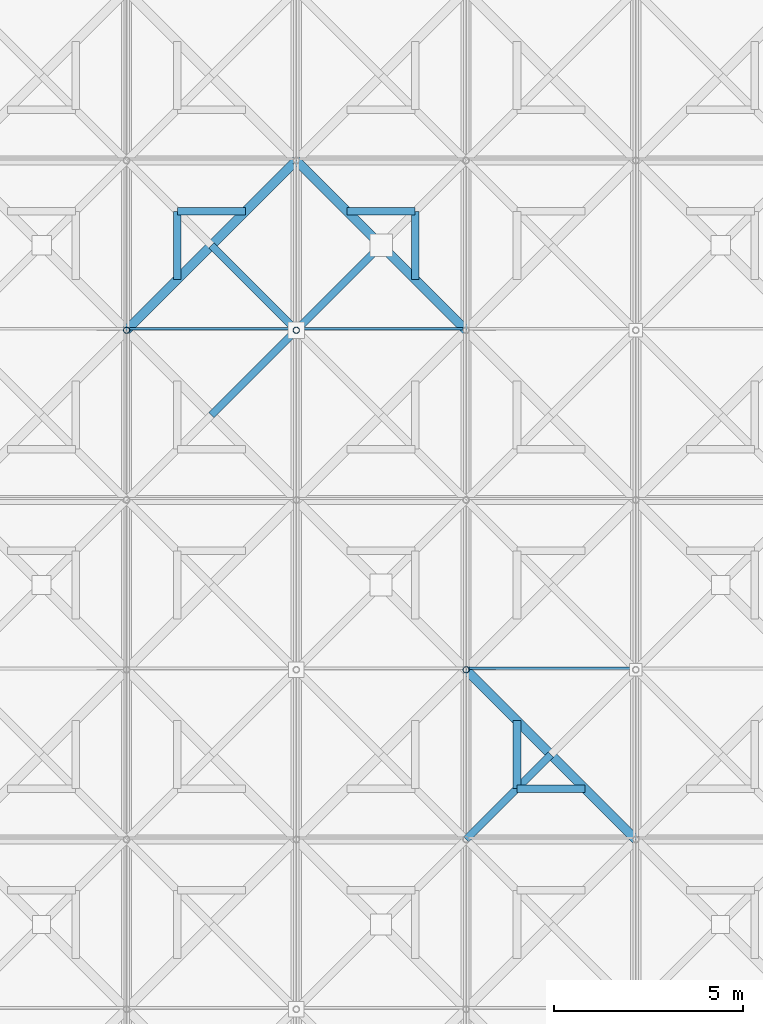
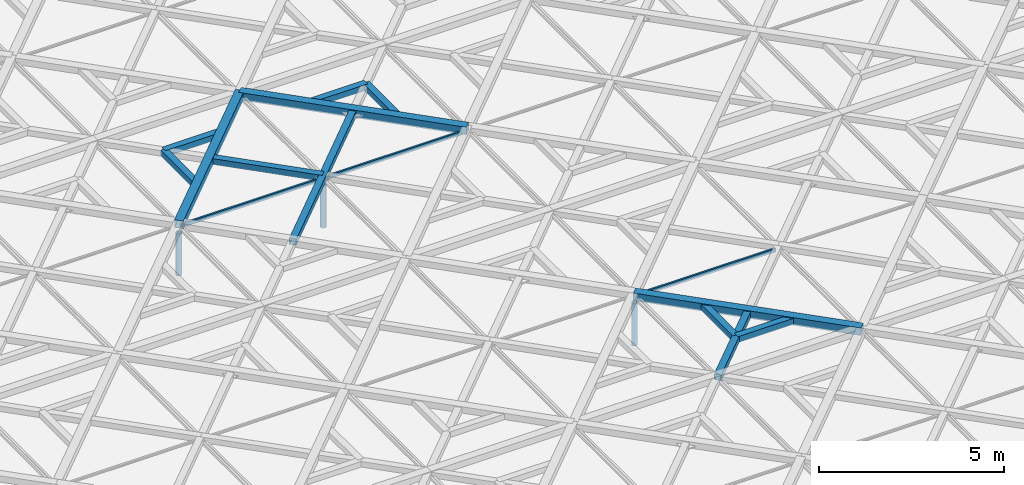
# One storey, part 35 of 80: 18 members, 3 elements without a shape of their own.
"""IFC4 building model written with IfcOpenShell, lengths in metres."""

import ifcopenshell
import ifcopenshell.guid

model = None  # the IFC model being written
_history = None  # IfcOwnerHistory: only IFC2X3 demands one
_inside = {}  # id of a spatial element -> (the spatial element, [elements in it])
_under = {}  # id of a project, library or spatial element -> (it, [spatial elements below it])
_declared = {}  # id of a project -> (the project, [libraries it declares])
_typed = {}  # id of a type object -> (the type object, [elements of that type])
_made_of = {}  # id of a material, layer set ... -> (it, [elements and type objects made of it])


def new_model(schema):
    """Start an empty IFC model of exactly this schema.

    Asked for "IFC4X3", IfcOpenShell would pick the latest addendum, in which some entities
    have other attributes; the version numbers below select the first issue.
    IFC2X3 requires an IfcOwnerHistory on every rooted entity: one is made here for all.
    """
    global model, _history
    if schema == "IFC4X3":
        model = ifcopenshell.file(schema_version=(4, 3, 0, 0))
    else:
        model = ifcopenshell.file(schema=schema)
    _inside.clear()
    _under.clear()
    _declared.clear()
    _typed.clear()
    _made_of.clear()
    _history = None
    if model.schema == "IFC2X3":
        org = make("IfcOrganization", Name="unknown")
        user = make(
            "IfcPersonAndOrganization",
            ThePerson=make("IfcPerson", FamilyName="unknown"),
            TheOrganization=org,
        )
        app = make(
            "IfcApplication",
            ApplicationDeveloper=org,
            Version="unknown",
            ApplicationFullName="unknown",
            ApplicationIdentifier="unknown",
        )
        _history = make(
            "IfcOwnerHistory",
            OwningUser=user,
            OwningApplication=app,
            ChangeAction="ADDED",
            CreationDate=0,
        )
    return model


def make(cls, **values):
    """One entity of the class cls with the attributes given. An attribute that is None is left unset."""
    return model.create_entity(
        cls, **{name: value for name, value in values.items() if value is not None}
    )


def rooted(cls, **values):
    """An entity with a GlobalId (a new one), such as an element, a storey or a relation."""
    return make(cls, GlobalId=ifcopenshell.guid.new(), OwnerHistory=_history, **values)


def si_unit(unit_type, name, prefix=None):
    """IfcSIUnit, for example si_unit("LENGTHUNIT", "METRE", prefix="MILLI")."""
    return make("IfcSIUnit", UnitType=unit_type, Prefix=prefix, Name=name)


def assignment(units):
    """IfcUnitAssignment: the units of a project."""
    return None if units is None else make("IfcUnitAssignment", Units=units)


def point(xyz):
    """IfcCartesianPoint."""
    return None if xyz is None else make("IfcCartesianPoint", Coordinates=xyz)


def direction(xyz):
    """IfcDirection."""
    return None if xyz is None else make("IfcDirection", DirectionRatios=xyz)


def frame(location, z_axis=None, x_axis=None):
    """IfcAxis2Placement3D, a coordinate frame: its origin and axes. An axis left out is left unset."""
    return make(
        "IfcAxis2Placement3D",
        Location=point(location),
        Axis=direction(z_axis),
        RefDirection=direction(x_axis),
    )


def frame_2d(location, x_axis=None):
    """IfcAxis2Placement2D, a coordinate frame in the plane: its origin and x axis."""
    return make(
        "IfcAxis2Placement2D", Location=point(location), RefDirection=direction(x_axis)
    )


def origin():
    """The frame at (0, 0, 0) with its axes left unset."""
    return frame((0.0, 0.0, 0.0))


def origin_2d():
    """The frame at (0, 0) in the plane with its x axis left unset."""
    return frame_2d((0.0, 0.0))


def place(relative_to, where):
    """IfcLocalPlacement: puts the frame where relative to a parent placement (None: the world)."""
    return make(
        "IfcLocalPlacement", PlacementRelTo=relative_to, RelativePlacement=where
    )


def context(
    kind, dimensions, precision=None, world=None, true_north=None, identifier=None
):
    """IfcGeometricRepresentationContext, for example the 3D "Model" context."""
    return make(
        "IfcGeometricRepresentationContext",
        ContextIdentifier=identifier,
        ContextType=kind,
        CoordinateSpaceDimension=dimensions,
        Precision=precision,
        WorldCoordinateSystem=world,
        TrueNorth=true_north,
    )


def subcontext(parent, identifier, kind, view, scale=None):
    """IfcGeometricRepresentationSubContext, for example "Body" below "Model"."""
    return make(
        "IfcGeometricRepresentationSubContext",
        ContextIdentifier=identifier,
        ContextType=kind,
        ParentContext=parent,
        TargetScale=scale,
        TargetView=view,
    )


def project(units=None, contexts=None):
    """IfcProject with its units and contexts."""
    return rooted(
        "IfcProject",
        Name="project",
        RepresentationContexts=contexts,
        UnitsInContext=assignment(units),
    )


def spatial(cls, under=None, at=None, **own):
    """A site, building, storey or space (cls), placed at a placement, below another one or the project."""
    s = rooted(cls, ObjectPlacement=at, **own)
    if under is not None:
        _under.setdefault(under.id(), (under, []))[1].append(s)
    return s


def profile(cls, at=None, kind="AREA", **sizes):
    """A parametric profile (cls). Its sizes go by their IFC names, for example OverallWidth=200.0."""
    return make(cls, ProfileType=kind, Position=at, **sizes)


def rectangle(**sizes):
    """IfcRectangleProfileDef."""
    return profile("IfcRectangleProfileDef", **sizes)


def hollow_rectangle(**sizes):
    """IfcRectangleHollowProfileDef."""
    return profile("IfcRectangleHollowProfileDef", **sizes)


def hollow_circle(**sizes):
    """IfcCircleHollowProfileDef."""
    return profile("IfcCircleHollowProfileDef", **sizes)


def extrude(swept, where, along, depth):
    """IfcExtrudedAreaSolid: the profile swept, set in the frame where, extruded along a direction by depth."""
    return make(
        "IfcExtrudedAreaSolid",
        SweptArea=swept,
        Position=where,
        ExtrudedDirection=direction(along),
        Depth=depth,
    )


def shape(context_of_items, identifier, shape_type, items):
    """IfcShapeRepresentation: the items that make up one representation, for example the "Body"."""
    return make(
        "IfcShapeRepresentation",
        ContextOfItems=context_of_items,
        RepresentationIdentifier=identifier,
        RepresentationType=shape_type,
        Items=items,
    )


def material(Name=None, Category=None):
    """IfcMaterial."""
    return make("IfcMaterial", Name=Name, Category=Category)


def material_profile(
    of_material, cross_section, Name=None, Category=None, Priority=None
):
    """IfcMaterialProfile: a cross section and its material."""
    return make(
        "IfcMaterialProfile",
        Name=Name,
        Material=of_material,
        Profile=cross_section,
        Priority=Priority,
        Category=Category,
    )


def profile_set(profiles, Name=None, composite=None):
    """IfcMaterialProfileSet."""
    return make(
        "IfcMaterialProfileSet",
        Name=Name,
        MaterialProfiles=profiles,
        CompositeProfile=composite,
    )


def made_of(thing, what):
    """Note that an element or type object is made of a material, layer set ...; save() writes the relation."""
    if what is not None:
        _made_of.setdefault(what.id(), (what, []))[1].append(thing)
    return thing


def type_object(cls, material=None, **own):
    """A type object (cls), such as IfcWallType, which elements share."""
    return made_of(rooted(cls, **own), material)


def element(
    cls,
    number,
    at=None,
    inside=None,
    cuts=None,
    type_object=None,
    material=None,
    context=None,
    identifier="Body",
    shape_type=None,
    held_by="IfcProductDefinitionShape",
    body=None,
    shapes=None,
    **own,
):
    """One element of the class cls, such as IfcWall. Its Tag is "e" and its number.

    at: its placement. inside: the storey or other place that contains it. cuts: it is an
    opening in that element (IfcRelVoidsElement). A single representation is given by context,
    identifier, shape_type and body (its items); several are given by shapes. held_by: the class
    of the entity that holds the representations. save() writes the other relations.
    """
    e = rooted(cls, Tag="e%d" % number, ObjectPlacement=at, **own)
    if body is not None:
        shapes = [shape(context, identifier, shape_type, body)]
    if shapes is not None:
        e.Representation = make(held_by, Representations=shapes)
    if inside is not None:
        _inside.setdefault(inside.id(), (inside, []))[1].append(e)
    if cuts is not None:
        rooted(
            "IfcRelVoidsElement", RelatingBuildingElement=cuts, RelatedOpeningElement=e
        )
    if type_object is not None:
        _typed.setdefault(type_object.id(), (type_object, []))[1].append(e)
    return made_of(e, material)


def aggregate(whole, parts):
    """IfcRelAggregates: a whole, such as a stair, and the parts it consists of."""
    return rooted("IfcRelAggregates", RelatingObject=whole, RelatedObjects=parts)


def save(model, path):
    """Write the relations noted so far, then the file.

    IfcRelAggregates (storeys below a building ...), IfcRelContainedInSpatialStructure (elements
    in a storey), IfcRelDefinesByType, IfcRelAssociatesMaterial and IfcRelDeclares: one each for
    every whole, place, type object, material and project.
    """
    for whole, parts in _under.values():
        aggregate(whole, parts)
    for where, things in _inside.values():
        rooted(
            "IfcRelContainedInSpatialStructure",
            RelatedElements=things,
            RelatingStructure=where,
        )
    for kind, things in _typed.values():
        rooted("IfcRelDefinesByType", RelatedObjects=things, RelatingType=kind)
    for what, things in _made_of.values():
        rooted("IfcRelAssociatesMaterial", RelatedObjects=things, RelatingMaterial=what)
    for by, libraries in _declared.values():
        rooted("IfcRelDeclares", RelatingContext=by, RelatedDefinitions=libraries)
    model.write(path)


model = new_model("IFC4")

# Units and contexts
model_context = context("Model", 3, precision=1e-05, world=origin(), true_north=direction((0.0, 1.0)))
body_context = subcontext(model_context, "Body", "Model", "MODEL_VIEW")
ifc_project = project(units=[si_unit("LENGTHUNIT", "METRE"), si_unit("AREAUNIT", "SQUARE_METRE"), si_unit("VOLUMEUNIT", "CUBIC_METRE"), si_unit("PLANEANGLEUNIT", "RADIAN"), si_unit("MASSUNIT", "GRAM", prefix="KILO"), si_unit("THERMODYNAMICTEMPERATUREUNIT", "KELVIN"), si_unit("POWERUNIT", "WATT")], contexts=[model_context])

# Site, building, storey
site_placement = place(None, origin())
site = spatial("IfcSite", under=ifc_project, at=site_placement, CompositionType="ELEMENT")
building_placement = place(site_placement, origin())
building = spatial("IfcBuilding", under=site, at=building_placement, Name="Tallowbark Science Centre", CompositionType="ELEMENT")
storey_placement = place(building_placement, frame((0.0, 0.0, 25.949951171875)))
storey = spatial("IfcBuildingStorey", under=building, at=storey_placement, Name="ROOF", CompositionType="ELEMENT", Elevation=25.949951171875)

# Curtain wall, member
ifc_material_1 = material(Name="Blue-Tinted Laminated Low-E Skylight Glass", Category="glass")
curtain_wall_type = type_object("IfcCurtainWallType", Name="CW-SKY-ROOF", PredefinedType="NOTDEFINED", material=ifc_material_1)
curtain_wall_1_placement = place(storey_placement, origin())
curtain_wall_1 = element("IfcCurtainWall", 1, at=curtain_wall_1_placement, inside=storey, type_object=curtain_wall_type, Name="Exhibition Star-Screen Skylight Bay 6", PredefinedType="NOTDEFINED")
ifc_material_2 = material(Name="Anodised Architectural Aluminium Alloy 6063-T6", Category="aluminium")
ifc_material_profile_1 = material_profile(ifc_material_2, rectangle(XDim=0.054931640625, YDim=0.1201171875, at=origin_2d()), Name="ALU55x120")
ifc_profile_set_1 = profile_set([ifc_material_profile_1], Name="Anodised Architectural Aluminium Alloy 6063-T6")
member_type_1 = type_object("IfcMemberType", Name="CWM-SKY-TRN", PredefinedType="USERDEFINED", material=ifc_profile_set_1)
member_1_placement = place(storey_placement, frame((76.580078125, 27.0400390625, 0.35205078125), z_axis=(1.0, 0.0, 0.0), x_axis=(0.0, 1.0, 0.0)))
member_1 = element("IfcMember", 2, at=member_1_placement, type_object=member_type_1, Name="Skylight Bay 6 Transom 7", ObjectType="TRANSOM", PredefinedType="USERDEFINED", context=body_context, shape_type="SweptSolid", body=[
    extrude(rectangle(XDim=0.054931640625, YDim=0.1201171875, at=origin_2d()), origin(), (0.0, 0.0, 1.0), 4.33984375),
])
aggregate(curtain_wall_1, [member_1])

curtain_wall_2_placement = place(storey_placement, origin())
curtain_wall_2 = element("IfcCurtainWall", 3, at=curtain_wall_2_placement, inside=storey, type_object=curtain_wall_type, Name="Exhibition Star-Screen Skylight Bay 7", PredefinedType="NOTDEFINED")
member_2_placement = place(storey_placement, frame((81.080078125, 27.0400390625, 0.35205078125), z_axis=(1.0, 0.0, 0.0), x_axis=(0.0, 1.0, 0.0)))
member_2 = element("IfcMember", 4, at=member_2_placement, type_object=member_type_1, Name="Skylight Bay 7 Transom 7", ObjectType="TRANSOM", PredefinedType="USERDEFINED", context=body_context, shape_type="SweptSolid", body=[
    extrude(rectangle(XDim=0.054931640625, YDim=0.1201171875, at=origin_2d()), origin(), (0.0, 0.0, 1.0), 4.33984375),
])
aggregate(curtain_wall_2, [member_2])

curtain_wall_3_placement = place(storey_placement, origin())
curtain_wall_3 = element("IfcCurtainWall", 5, at=curtain_wall_3_placement, inside=storey, type_object=curtain_wall_type, Name="Exhibition Star-Screen Skylight Bay 8", PredefinedType="NOTDEFINED")
member_3_placement = place(storey_placement, frame((85.580078125, 18.0400390625, 0.35205078125), z_axis=(1.0, 0.0, 0.0), x_axis=(0.0, 1.0, 0.0)))
member_3 = element("IfcMember", 6, at=member_3_placement, type_object=member_type_1, Name="Skylight Bay 8 Transom 5", ObjectType="TRANSOM", PredefinedType="USERDEFINED", context=body_context, shape_type="SweptSolid", body=[
    extrude(rectangle(XDim=0.054931640625, YDim=0.1201171875, at=origin_2d()), origin(), (0.0, 0.0, 1.0), 4.33984375),
])
aggregate(curtain_wall_3, [member_3])

# Members
ifc_material_3 = material(Name="White Architectural Painted Steel Grade C350L0 (350 MPa)", Category="steel")
ifc_material_profile_2 = material_profile(ifc_material_3, hollow_rectangle(XDim=0.25, YDim=0.25, WallThickness=0.009033203125, at=origin_2d()), Name="250x250x9.0SHS")
ifc_profile_set_2 = profile_set([ifc_material_profile_2], Name="White Architectural Painted Steel Grade C350L0 (350 MPa)")
member_type_2 = type_object("IfcMemberType", Name="SCR-CHD200", PredefinedType="CHORD", material=ifc_profile_set_2)
for number, where, z_axis, x_axis, name in (
    (7, (85.5, 27.0, 0.449951171875), (-0.707106781187, 0.707106781187, 0.0), (-0.707106781187, -0.707106781187, 0.0), "Star Screen Octagram Diamond Chord TOP-64-2"),
    (8, (81.0, 31.5, 0.449951171875), (-0.707106781187, -0.707106781187, 0.0), (0.707106781187, -0.707106781187, 0.0), "Star Screen Octagram Diamond Chord TOP-64-3"),
    (9, (85.5, 18.0, 0.449951171875), (0.707106781187, -0.707106781187, 0.0), (0.707106781187, 0.707106781187, 0.0), "Star Screen Octagram Diamond Chord TOP-67-4"),
):
    element("IfcMember", number, at=place(storey_placement, frame(where, z_axis=z_axis, x_axis=x_axis)), inside=storey, type_object=member_type_2, Name=name, PredefinedType="CHORD", context=body_context, shape_type="SweptSolid", body=[
        extrude(hollow_rectangle(XDim=0.25, YDim=0.25, WallThickness=0.009033203125, at=origin_2d()), origin(), (0.0, 0.0, 1.0), 6.364013671875),
    ])
ifc_material_profile_3 = material_profile(ifc_material_3, hollow_rectangle(XDim=0.199951171875, YDim=0.199951171875, WallThickness=0.009033203125, at=origin_2d()), Name="200x200x9.0SHS")
ifc_profile_set_3 = profile_set([ifc_material_profile_3], Name="White Architectural Painted Steel Grade C350L0 (350 MPa)")
member_type_3 = type_object("IfcMemberType", Name="SCR-STAR139", PredefinedType="BRACE", material=ifc_profile_set_3)
member_4_placement = place(storey_placement, frame((78.75, 24.75, 0.449951171875), z_axis=(0.707106781187, 0.707106781187, 0.0), x_axis=(-0.707106781187, 0.707106781187, 0.0)))
element("IfcMember", 10, at=member_4_placement, inside=storey, type_object=member_type_3, Name="Star Screen Continuous X-Diagonal D1M TOP-64", PredefinedType="BRACE", context=body_context, shape_type="SweptSolid", body=[
    extrude(hollow_rectangle(XDim=0.199951171875, YDim=0.199951171875, WallThickness=0.009033203125, at=origin_2d()), origin(), (0.0, 0.0, 1.0), 6.364013671875),
])
for number, where, z_axis, x_axis, name in (
    (11, (78.75, 29.25, 0.449951171875), (0.707106781187, -0.707106781187, 0.0), (0.707106781187, 0.707106781187, 0.0), "Star Screen Split X-Diagonal D2B TOP-64"),
    (12, (85.5, 13.5, 0.449951171875), (0.707106781187, 0.707106781187, 0.0), (-0.707106781187, 0.707106781187, 0.0), "Star Screen Continuous X-Diagonal D1A TOP-67"),
):
    element("IfcMember", number, at=place(storey_placement, frame(where, z_axis=z_axis, x_axis=x_axis)), inside=storey, type_object=member_type_3, Name=name, PredefinedType="BRACE", context=body_context, shape_type="SweptSolid", body=[
        extrude(hollow_rectangle(XDim=0.199951171875, YDim=0.199951171875, WallThickness=0.009033203125, at=origin_2d()), origin(), (0.0, 0.0, 1.0), 3.181884765625),
    ])
ifc_material_profile_4 = material_profile(ifc_material_3, hollow_rectangle(XDim=0.199951171875, YDim=0.199951171875, WallThickness=0.009033203125, at=origin_2d()), Name="200x200x9.0SHS")
ifc_profile_set_4 = profile_set([ifc_material_profile_4], Name="White Architectural Painted Steel Grade C350L0 (350 MPa)")
member_type_4 = type_object("IfcMemberType", Name="SCR-SUB150", PredefinedType="BRACE", material=ifc_profile_set_4)
for number, where, z_axis, x_axis, name in (
    (13, (84.14990234375, 30.14990234375, 0.449951171875), (-1.0, 0.0, 0.0), (0.0, -1.0, 0.0), "Star Screen Octagram Point Ray TOP-64-5"),
    (14, (84.14990234375, 30.14990234375, 0.449951171875), (0.0, -1.0, 0.0), (1.0, 0.0, 0.0), "Star Screen Octagram Point Ray TOP-64-6"),
    (15, (77.85009765625, 30.14990234375, 0.449951171875), (1.0, 0.0, 0.0), (0.0, 1.0, 0.0), "Star Screen Octagram Point Ray TOP-64-7"),
    (16, (77.85009765625, 30.14990234375, 0.449951171875), (0.0, -1.0, 0.0), (1.0, 0.0, 0.0), "Star Screen Octagram Point Ray TOP-64-8"),
    (17, (86.85009765625, 14.85009765625, 0.449951171875), (1.0, 0.0, 0.0), (0.0, 1.0, 0.0), "Star Screen Octagram Point Ray TOP-67-1"),
    (18, (86.85009765625, 14.85009765625, 0.449951171875), (0.0, 1.0, 0.0), (-1.0, 0.0, 0.0), "Star Screen Octagram Point Ray TOP-67-2"),
):
    element("IfcMember", number, at=place(storey_placement, frame(where, z_axis=z_axis, x_axis=x_axis)), inside=storey, type_object=member_type_4, Name=name, PredefinedType="BRACE", context=body_context, shape_type="SweptSolid", body=[
        extrude(hollow_rectangle(XDim=0.199951171875, YDim=0.199951171875, WallThickness=0.009033203125, at=origin_2d()), origin(), (0.0, 0.0, 1.0), 1.7998046875),
    ])
ifc_material_profile_5 = material_profile(ifc_material_3, hollow_circle(Radius=0.084228515625, WallThickness=0.007080078125, at=origin_2d()), Name="168.3x7.1CHS")
ifc_profile_set_5 = profile_set([ifc_material_profile_5], Name="White Architectural Painted Steel Grade C350L0 (350 MPa)")
member_type_5 = type_object("IfcMemberType", Name="TR-WEB168", PredefinedType="BRACE", material=ifc_profile_set_5)
for number, where, z_axis, x_axis, name in (
    (19, (76.5, 27.0, -1.199951171875), (0.0, 0.0, 1.0), (1.0, 0.0, 0.0), "Exhibition Roof Truss Web 5-27"),
    (20, (81.0, 27.0, -1.199951171875), (0.0, 0.0, 1.0), (1.0, 0.0, 0.0), "Exhibition Roof Truss Web 6-27"),
    (21, (85.5, 18.0, -1.199951171875), (0.0, 0.0, 1.0), (1.0, 0.0, 0.0), "Exhibition Roof Truss Web 7-18"),
):
    element("IfcMember", number, at=place(storey_placement, frame(where, z_axis=z_axis, x_axis=x_axis)), inside=storey, type_object=member_type_5, Name=name, PredefinedType="BRACE", context=body_context, shape_type="SweptSolid", body=[
        extrude(hollow_circle(Radius=0.084228515625, WallThickness=0.007080078125, at=origin_2d()), origin(), (0.0, 0.0, 1.0), 1.389892578125),
    ])

save(model, "model.ifc")
